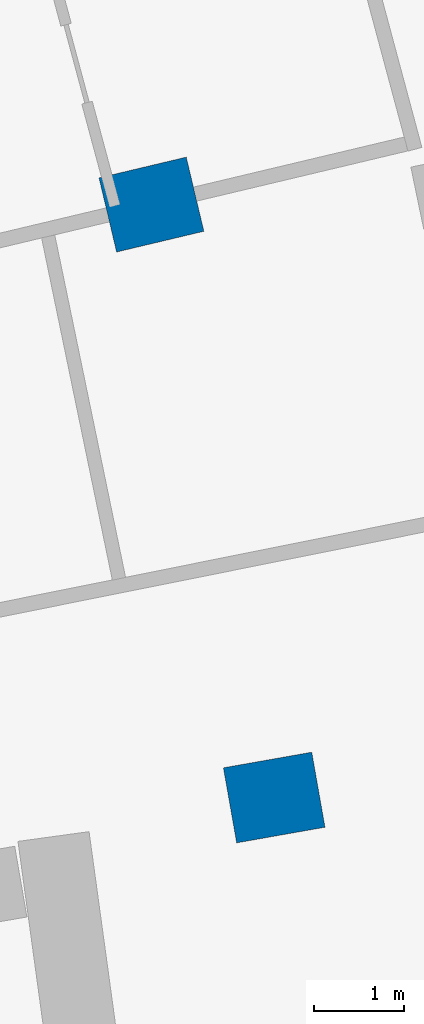
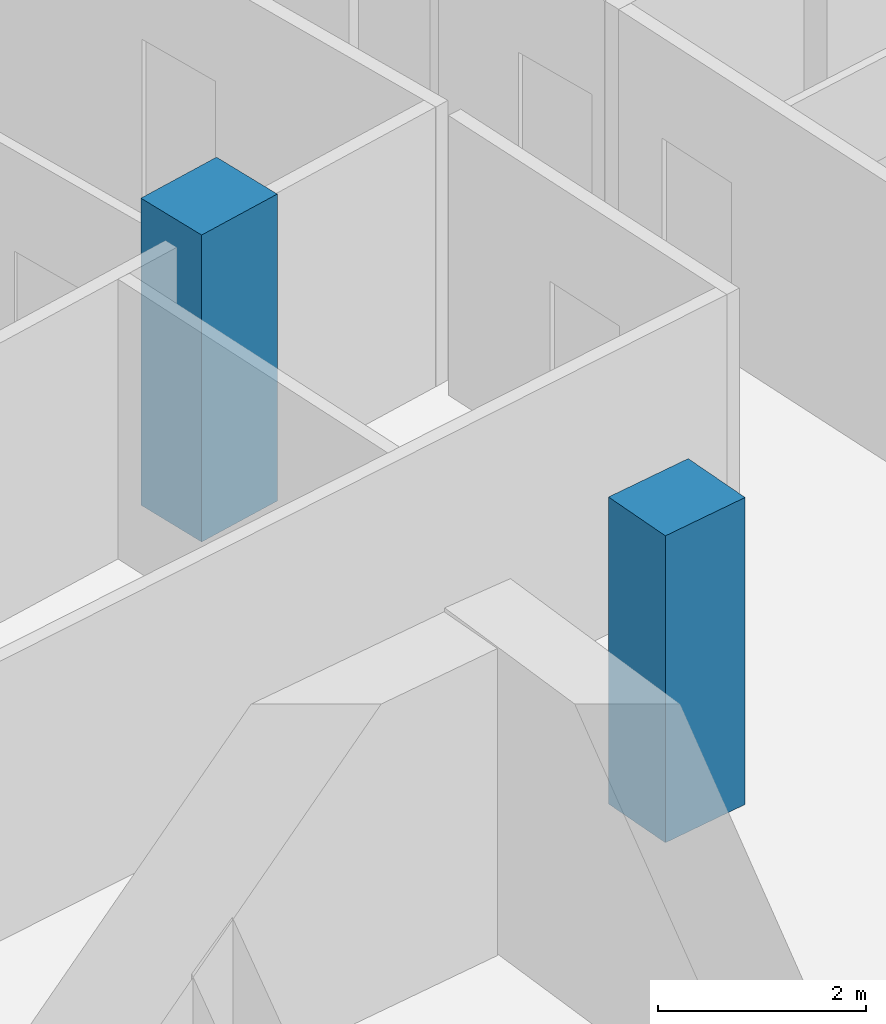
# One storey, part 8 of 25: 2 columns.
"""IFC4 building model written with IfcOpenShell, lengths in metres."""

from ifc_helpers import new_model, si_unit, direction, frame, origin, origin_2d, place, context, subcontext, project, spatial, rectangle, extrude, material, material_profile, profile_set, type_object, element, save


model = new_model("IFC4")

# Units and contexts
model_context = context("Model", 3, precision=1e-05, world=origin(), true_north=direction((0.0, 1.0)))
body_context = subcontext(model_context, "Body", "Model", "MODEL_VIEW")
ifc_project = project(units=[si_unit("LENGTHUNIT", "METRE"), si_unit("AREAUNIT", "SQUARE_METRE"), si_unit("VOLUMEUNIT", "CUBIC_METRE"), si_unit("PLANEANGLEUNIT", "RADIAN"), si_unit("MASSUNIT", "GRAM", prefix="KILO")], contexts=[model_context])

# Site, building, storey
site_placement = place(None, origin())
site = spatial("IfcSite", under=ifc_project, at=site_placement, CompositionType="ELEMENT")
building_placement = place(site_placement, origin())
building = spatial("IfcBuilding", under=site, at=building_placement, Name="Alderwake Tower", CompositionType="ELEMENT")
storey_placement = place(building_placement, frame((0.0, 0.0, 114.800048828125)))
storey = spatial("IfcBuildingStorey", under=building, at=storey_placement, Name="L28", CompositionType="ELEMENT", Elevation=114.800048828125)

# Columns
ifc_material = material(Name="Concrete C70/85", Category="concrete")
ifc_material_profile = material_profile(ifc_material, rectangle(XDim=0.85009765625, YDim=1.0, at=origin_2d()), Name="RC 1000X850")
ifc_profile_set = profile_set([ifc_material_profile], Name="Concrete C70/85")
column_type = type_object("IfcColumnType", Name="Interior column Z2", PredefinedType="COLUMN", material=ifc_profile_set)
for number, where, z_axis, x_axis, name in (
    (1, (34.03125, 81.16162109375, 0.0), (0.0, 0.0, 1.0), (-0.174108800747, 0.984726421654, 0.0), "Column R10-C2"),
    (2, (32.661865234375, 87.775390625, 0.0), (0.0, 0.0, 1.0), (-0.231221547198, 0.972901123502, 0.0), "Column R11-C2"),
):
    element("IfcColumn", number, at=place(storey_placement, frame(where, z_axis=z_axis, x_axis=x_axis)), inside=storey, type_object=column_type, Name=name, PredefinedType="COLUMN", context=body_context, shape_type="SweptSolid", body=[
        extrude(rectangle(XDim=0.85009765625, YDim=1.0, at=origin_2d()), origin(), (0.0, 0.0, 1.0), 3.599853515625),
    ])

save(model, "model.ifc")
